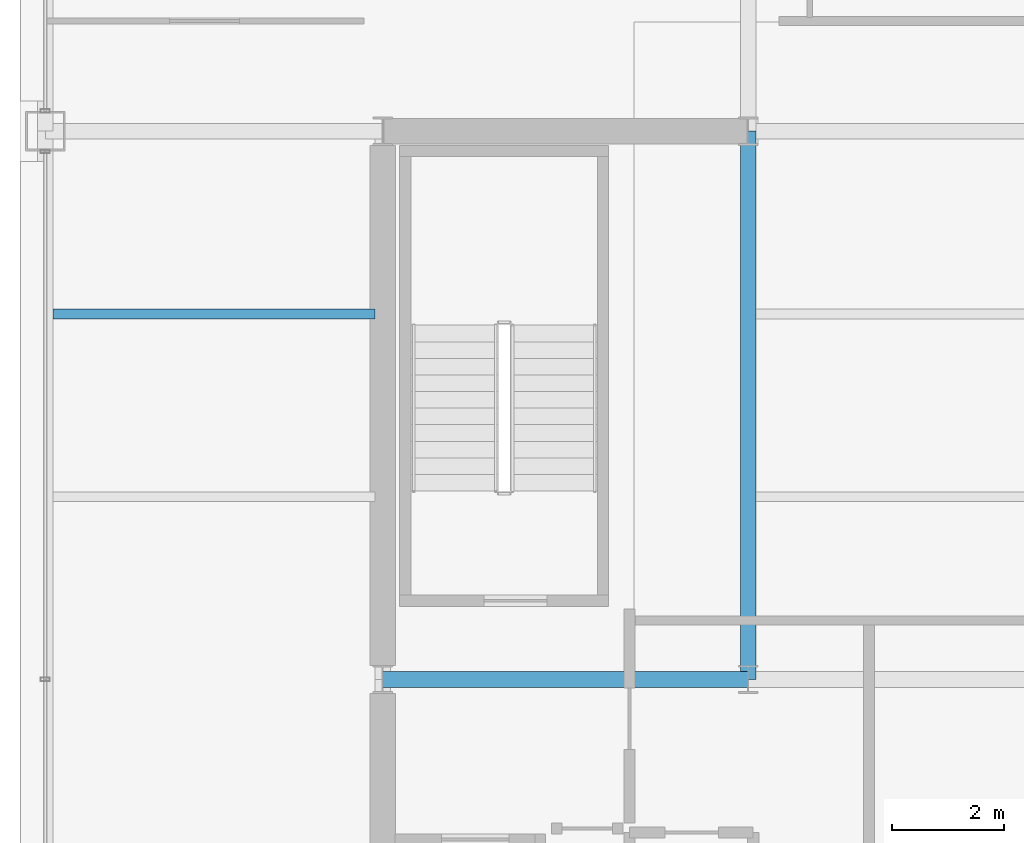
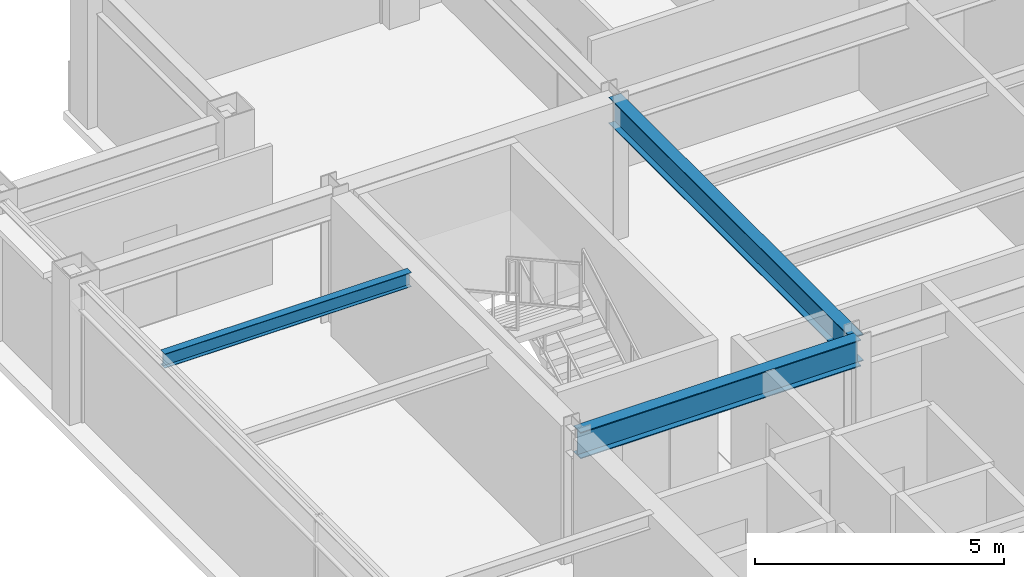
# One storey, part 9 of 29: 3 beams.
"""IFC4 building model written with IfcOpenShell, lengths in metres."""

from ifc_helpers import new_model, si_unit, direction, frame, origin, origin_2d, place, context, subcontext, project, spatial, i_section, extrude, material, material_profile, profile_set, type_object, element, save


model = new_model("IFC4")

# Units and contexts
model_context = context("Model", 3, precision=1e-05, world=origin(), true_north=direction((0.0, 1.0)))
body_context = subcontext(model_context, "Body", "Model", "MODEL_VIEW")
ifc_project = project(units=[si_unit("LENGTHUNIT", "METRE"), si_unit("AREAUNIT", "SQUARE_METRE"), si_unit("VOLUMEUNIT", "CUBIC_METRE"), si_unit("PLANEANGLEUNIT", "RADIAN"), si_unit("MASSUNIT", "GRAM", prefix="KILO")], contexts=[model_context])

# Site, building, storey
site_placement = place(None, origin())
site = spatial("IfcSite", under=ifc_project, at=site_placement, CompositionType="ELEMENT")
building_placement = place(site_placement, origin())
building = spatial("IfcBuilding", under=site, at=building_placement, Name="Brelmoor Portico Tower", CompositionType="ELEMENT")
storey_placement = place(building_placement, frame((0.0, 0.0, 201.89990234375)))
storey = spatial("IfcBuildingStorey", under=building, at=storey_placement, Name="L53", CompositionType="ELEMENT", Elevation=201.89990234375)

# Beams
ifc_material = material(Name="Steel Q355B", Category="steel")
ifc_material_profile_1 = material_profile(ifc_material, i_section(OverallWidth=0.175048828125, OverallDepth=0.35009765625, WebThickness=0.007080078125, FlangeThickness=0.010986328125, at=origin_2d()), Name="HN 350x175x7x11")
ifc_profile_set_1 = profile_set([ifc_material_profile_1], Name="Steel Q355B")
beam_type_1 = type_object("IfcBeamType", Name="BM-JS-350", PredefinedType="JOIST", material=ifc_profile_set_1)
beam_1_placement = place(storey_placement, frame((-20.409912109375, 6.5, 3.22509765625), z_axis=(1.0, 0.0, 0.0), x_axis=(0.0, 1.0, 0.0)))
element("IfcBeam", 1, at=beam_1_placement, inside=storey, type_object=beam_type_1, Name="L53 Secondary Wing Joist JS-W08", PredefinedType="JOIST", context=body_context, shape_type="SweptSolid", body=[
    extrude(i_section(OverallWidth=0.175048828125, OverallDepth=0.35009765625, WebThickness=0.007080078125, FlangeThickness=0.010986328125, at=origin_2d()), origin(), (0.0, 0.0, 1.0), 5.719970703125),
])
ifc_material_profile_2 = material_profile(ifc_material, i_section(OverallWidth=0.280029296875, OverallDepth=0.64990234375, WebThickness=0.012939453125, FlangeThickness=0.02197265625, at=origin_2d()), Name="HN 650x280x13x22")
ifc_profile_set_2 = profile_set([ifc_material_profile_2], Name="Steel Q355B")
beam_type_2 = type_object("IfcBeamType", Name="BM-PG-650", PredefinedType="BEAM", material=ifc_profile_set_2)
beam_2_placement = place(storey_placement, frame((-8.050048828125, 0.0, 3.0751953125), z_axis=(0.0, 1.0, 0.0), x_axis=(-1.0, 0.0, 0.0)))
element("IfcBeam", 2, at=beam_2_placement, inside=storey, type_object=beam_type_2, Name="L53 Primary Floor Girder PG-04", PredefinedType="BEAM", context=body_context, shape_type="SweptSolid", body=[
    extrude(i_section(OverallWidth=0.280029296875, OverallDepth=0.64990234375, WebThickness=0.012939453125, FlangeThickness=0.02197265625, at=origin_2d()), origin(), (0.0, 0.0, 1.0), 9.75),
])
beam_3_placement = place(storey_placement, frame((-14.550048828125, 0.0, 3.0751953125), z_axis=(1.0, 0.0, 0.0), x_axis=(0.0, 1.0, 0.0)))
element("IfcBeam", 3, at=beam_3_placement, inside=storey, type_object=beam_type_2, Name="L53 Primary Floor Girder PG-16", PredefinedType="BEAM", context=body_context, shape_type="SweptSolid", body=[
    extrude(i_section(OverallWidth=0.280029296875, OverallDepth=0.64990234375, WebThickness=0.012939453125, FlangeThickness=0.02197265625, at=origin_2d()), origin(), (0.0, 0.0, 1.0), 6.5),
])

save(model, "model.ifc")
